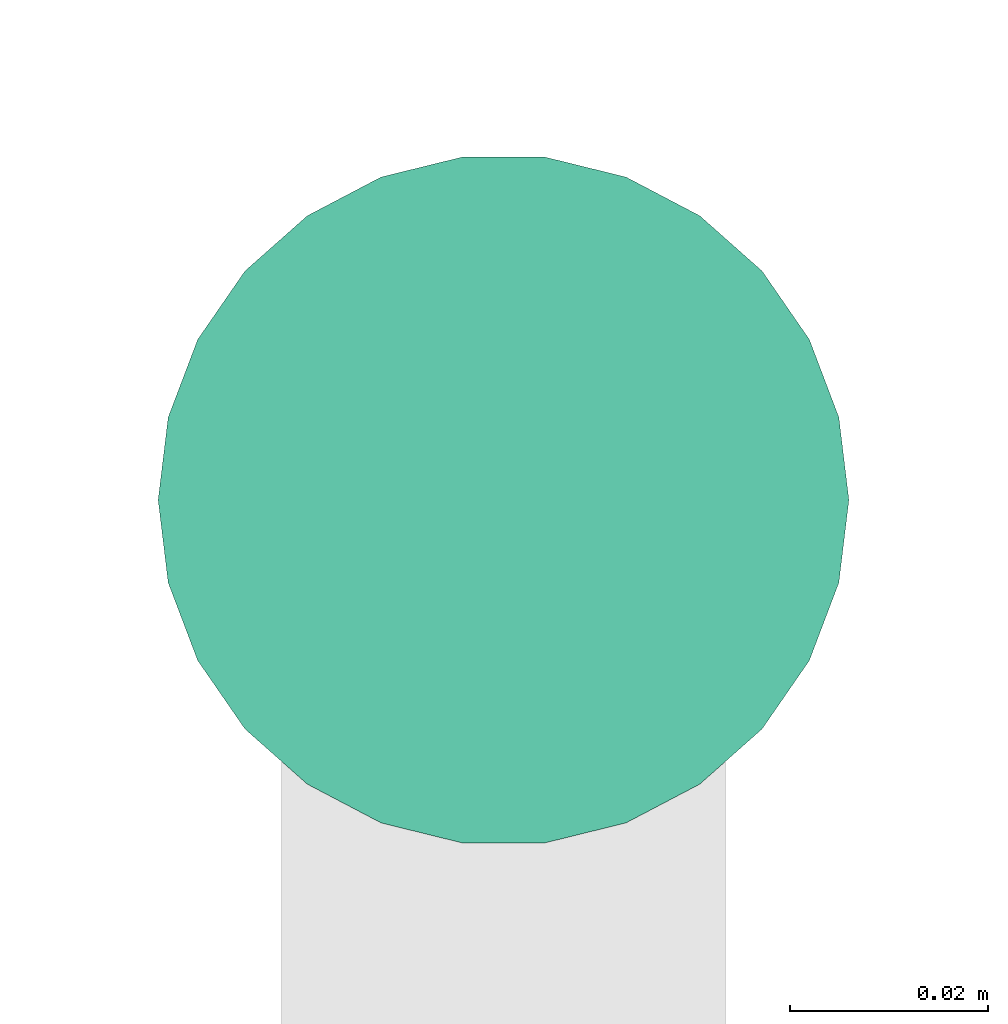
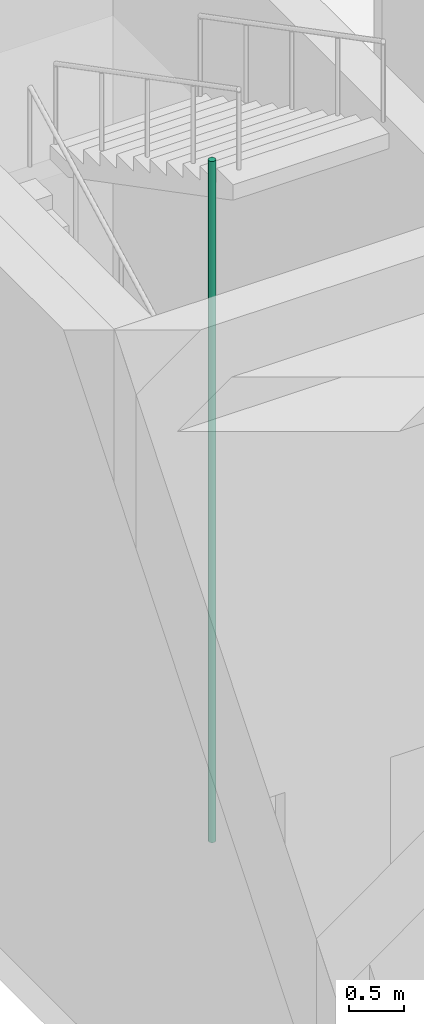
# One storey, part 24 of 36: 1 pipe segment.
"""IFC4 building model written with IfcOpenShell, lengths in metres."""

from ifc_helpers import new_model, si_unit, direction, frame, origin, origin_2d, place, context, subcontext, project, spatial, circle, extrude, element, save


model = new_model("IFC4")

# Units and contexts
model_context = context("Model", 3, precision=1e-05, world=origin(), true_north=direction((0.0, 1.0)))
body_context = subcontext(model_context, "Body", "Model", "MODEL_VIEW")
ifc_project = project(units=[si_unit("LENGTHUNIT", "METRE"), si_unit("AREAUNIT", "SQUARE_METRE"), si_unit("VOLUMEUNIT", "CUBIC_METRE"), si_unit("PLANEANGLEUNIT", "RADIAN"), si_unit("MASSUNIT", "GRAM", prefix="KILO")], contexts=[model_context])

# Site, building, storey
site_placement = place(None, origin())
site = spatial("IfcSite", under=ifc_project, at=site_placement, CompositionType="ELEMENT")
building_placement = place(site_placement, origin())
building = spatial("IfcBuilding", under=site, at=building_placement, Name="Nzadi Deep Aquarium and Research Tower", CompositionType="ELEMENT")
storey_placement = place(building_placement, frame((0.0, 0.0, 14.199951171875)))
storey = spatial("IfcBuildingStorey", under=building, at=storey_placement, Name="L02", CompositionType="ELEMENT", Elevation=14.199951171875)

# Pipe segment
pipe_segment_placement = place(storey_placement, frame((2.300048828125, 12.320068359375, 0.0), z_axis=(0.0, 0.0, 1.0), x_axis=(1.0, 0.0, 0.0)))
element("IfcPipeSegment", 1, at=pipe_segment_placement, inside=storey, Name="Dry riser ST-Z1-SW L02", PredefinedType="RIGIDSEGMENT", context=body_context, shape_type="SweptSolid", body=[
    extrude(circle(Radius=0.034912109375, at=origin_2d()), origin(), (0.0, 0.0, 1.0), 7.5),
])

save(model, "model.ifc")
